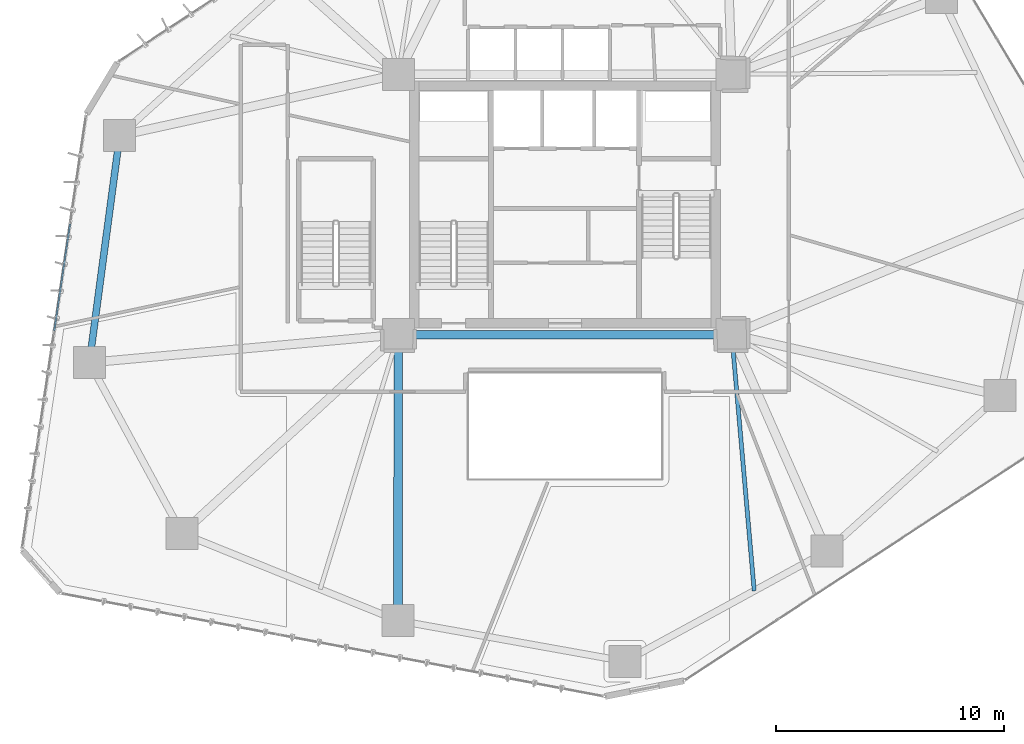
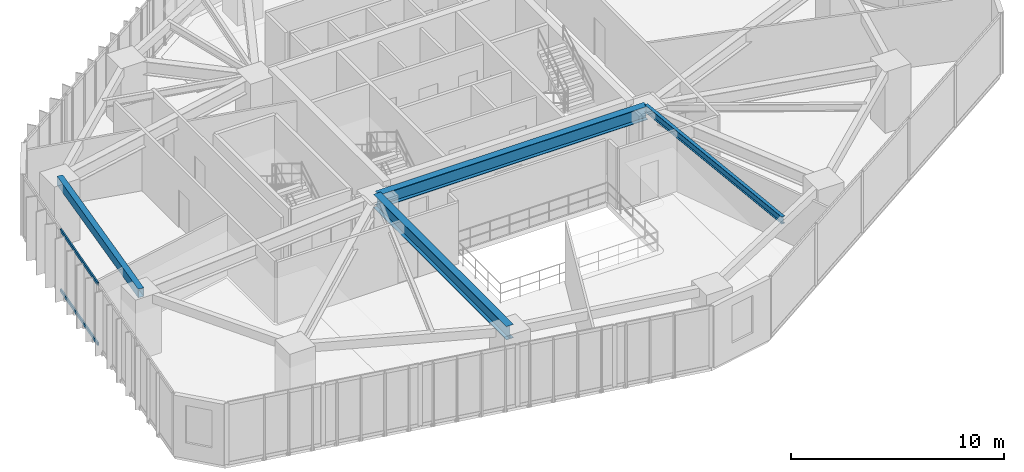
# One storey, part 5 of 20: 4 beams, 2 members, 1 element without a shape of its own.
"""IFC4 building model written with IfcOpenShell, lengths in metres."""

from ifc_helpers import new_model, si_unit, direction, frame, origin, origin_2d, place, context, subcontext, project, spatial, hollow_rectangle, i_section, extrude, source, transform, mapped, material, layer, layer_set, material_profile, profile_set, type_object, type_shapes, element, aggregate, save


model = new_model("IFC4")

# Units and contexts
model_context = context("Model", 3, precision=1e-05, world=origin(), true_north=direction((0.0, 1.0)))
body_context = subcontext(model_context, "Body", "Model", "MODEL_VIEW")
ifc_project = project(units=[si_unit("LENGTHUNIT", "METRE"), si_unit("AREAUNIT", "SQUARE_METRE"), si_unit("VOLUMEUNIT", "CUBIC_METRE"), si_unit("PLANEANGLEUNIT", "RADIAN"), si_unit("MASSUNIT", "GRAM", prefix="KILO")], contexts=[model_context])

# Site, building, storey
site_placement = place(None, origin())
site = spatial("IfcSite", under=ifc_project, at=site_placement, CompositionType="ELEMENT")
building_placement = place(site_placement, origin())
building = spatial("IfcBuilding", under=site, at=building_placement, Name="Talar Marvaseh", CompositionType="ELEMENT")
storey_placement = place(building_placement, frame((0.0, 0.0, 58.199951171875)))
storey = spatial("IfcBuildingStorey", under=building, at=storey_placement, Name="L14", CompositionType="ELEMENT", Elevation=58.199951171875)

# Beams
ifc_material_1 = material(Name="Steel S355", Category="steel")
ifc_material_profile_1 = material_profile(ifc_material_1, hollow_rectangle(XDim=0.300048828125, YDim=0.5, WallThickness=0.02001953125, at=origin_2d()), Name="RHS500x300x20")
ifc_profile_set_1 = profile_set([ifc_material_profile_1], Name="Steel S355")
beam_type_1 = type_object("IfcBeamType", Name="Zone 1 Perimeter Spandrel Beam RHS500x300x20", PredefinedType="SPANDREL", material=ifc_profile_set_1)
beam_1_placement = place(storey_placement, frame((5.175048828125, 24.27587890625, 3.27001953125), z_axis=(0.132340758564, 0.991204279461, 0.0), x_axis=(-0.991204279461, 0.132340758564, 0.0)))
element("IfcBeam", 1, at=beam_1_placement, inside=storey, type_object=beam_type_1, Name="L14 Zone 1 Perimeter Spandrel Beam RHS500x300x20", PredefinedType="SPANDREL", context=body_context, shape_type="SweptSolid", body=[
    extrude(hollow_rectangle(XDim=0.300048828125, YDim=0.5, WallThickness=0.02001953125, at=origin_2d()), origin(), (0.0, 0.0, 1.0), 10.0263671875),
])
ifc_material_profile_2 = material_profile(ifc_material_1, i_section(OverallWidth=0.381103515625, OverallDepth=0.77294921875, WebThickness=0.0166015625, FlangeThickness=0.027099609375, at=origin_2d()), Name="W760x257")
ifc_profile_set_2 = profile_set([ifc_material_profile_2], Name="Steel S355")
beam_type_2 = type_object("IfcBeamType", Name="Zone 1 Radial Floor Girder W760x257", PredefinedType="BEAM", material=ifc_profile_set_2)
beam_2_placement = place(storey_placement, frame((18.699951171875, 25.5, 3.133544921875), z_axis=(1.0, 0.0, 0.0), x_axis=(0.0, 1.0, 0.0)))
element("IfcBeam", 2, at=beam_2_placement, inside=storey, type_object=beam_type_2, Name="L14 Zone 1 Radial Floor Girder W760x257", PredefinedType="BEAM", context=body_context, shape_type="SweptSolid", body=[
    extrude(i_section(OverallWidth=0.381103515625, OverallDepth=0.77294921875, WebThickness=0.0166015625, FlangeThickness=0.027099609375, at=origin_2d()), origin(), (0.0, 0.0, 1.0), 14.60009765625),
])
beam_3_placement = place(storey_placement, frame((18.68310546875, 12.97900390625, 3.133544921875), z_axis=(0.001345395187, 0.999999094955, 0.0), x_axis=(-0.999999094955, 0.001345395187, 0.0)))
element("IfcBeam", 3, at=beam_3_placement, inside=storey, type_object=beam_type_2, Name="L14 Zone 1 Radial Floor Girder W760x257", PredefinedType="BEAM", context=body_context, shape_type="SweptSolid", body=[
    extrude(i_section(OverallWidth=0.381103515625, OverallDepth=0.77294921875, WebThickness=0.0166015625, FlangeThickness=0.027099609375, at=origin_2d()), origin(), (0.0, 0.0, 1.0), 12.52099609375),
])
ifc_material_profile_3 = material_profile(ifc_material_1, i_section(OverallWidth=0.179931640625, OverallDepth=0.4130859375, WebThickness=0.009765625, FlangeThickness=0.01611328125, at=origin_2d()), Name="W410x75")
ifc_profile_set_3 = profile_set([ifc_material_profile_3], Name="Steel S355")
beam_type_3 = type_object("IfcBeamType", Name="Zone 1 Secondary Floor Joist W410x75", PredefinedType="JOIST", material=ifc_profile_set_3)
beam_4_placement = place(storey_placement, frame((34.284423828125, 14.28369140625, 3.3134765625), z_axis=(-0.08742678295, 0.996170947992, 0.0), x_axis=(-0.996170947992, -0.08742678295, 0.0)))
element("IfcBeam", 4, at=beam_4_placement, inside=storey, type_object=beam_type_3, Name="L14 Zone 1 Secondary Floor Joist W410x75", PredefinedType="JOIST", context=body_context, shape_type="SweptSolid", body=[
    extrude(i_section(OverallWidth=0.179931640625, OverallDepth=0.4130859375, WebThickness=0.009765625, FlangeThickness=0.01611328125, at=origin_2d()), origin(), (0.0, 0.0, 1.0), 11.259521484375),
])

# Curtain wall, members
ifc_material_2 = material(Name="Architectural Aluminium", Category="aluminium")
ifc_layer = layer(ifc_material_2, 0.219970703125)
ifc_layer_set = layer_set([ifc_layer], Name="Architectural Aluminium")
curtain_wall_type = type_object("IfcCurtainWallType", Name="Unitised Low-E Museum Curtain Wall Z1", PredefinedType="NOTDEFINED", material=ifc_layer_set)
curtain_wall_placement = place(storey_placement, origin())
curtain_wall = element("IfcCurtainWall", 5, at=curtain_wall_placement, inside=storey, type_object=curtain_wall_type, Name="L14 Unitised Low-E Museum Curtain Wall Z1", PredefinedType="NOTDEFINED")
ifc_material_profile_4 = material_profile(ifc_material_2, hollow_rectangle(XDim=0.074951171875, YDim=0.179931640625, WallThickness=0.0048828125, at=origin_2d()), Name="RHS180x75x5")
ifc_profile_set_4 = profile_set([ifc_material_profile_4], Name="Architectural Aluminium")
member_type = type_object("IfcMemberType", Name="Unitised Curtain Wall Transom RHS180x75x5", PredefinedType="USERDEFINED", material=ifc_profile_set_4)
shared_shape = source(origin(), body_context, "Body", "SweptSolid", [
    extrude(hollow_rectangle(XDim=0.074951171875, YDim=0.179931640625, WallThickness=0.0048828125, at=origin_2d()), origin(), (0.0, 0.0, 1.0), 4.736328125),
])
type_shapes(member_type, [shared_shape])
member_1_placement = place(storey_placement, frame((3.63623046875, 25.65966796875, 0.03759765625), z_axis=(0.146182506361, 0.989257638249, 0.0), x_axis=(-0.989257638249, 0.146182506361, 0.0)))
member_1 = element("IfcMember", 6, at=member_1_placement, type_object=member_type, Name="CW-Z1 transom 3.1", ObjectType="TRANSOM", PredefinedType="USERDEFINED", context=body_context, shape_type="MappedRepresentation", body=[
    mapped(shared_shape, transform((0.0, 0.0, 0.0), x_axis=(1.0, 0.0, 0.0), y_axis=(0.0, 1.0, 0.0), z_axis=(0.0, 0.0, 1.0), scale=1.0)),
])
member_2_placement = place(storey_placement, frame((3.63623046875, 25.65966796875, 3.482666015625), z_axis=(0.146182506361, 0.989257638249, 0.0), x_axis=(-0.989257638249, 0.146182506361, 0.0)))
member_2 = element("IfcMember", 7, at=member_2_placement, type_object=member_type, Name="CW-Z1 transom 3.2", ObjectType="TRANSOM", PredefinedType="USERDEFINED", context=body_context, shape_type="MappedRepresentation", body=[
    mapped(shared_shape, transform((0.0, 0.0, 0.0), x_axis=(1.0, 0.0, 0.0), y_axis=(0.0, 1.0, 0.0), z_axis=(0.0, 0.0, 1.0), scale=1.0)),
])
aggregate(curtain_wall, [member_1, member_2])

save(model, "model.ifc")
